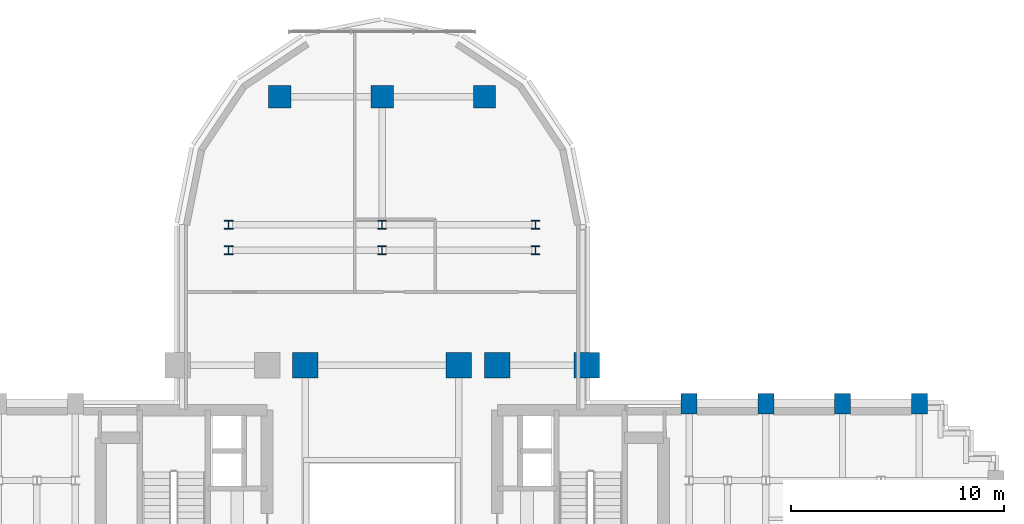
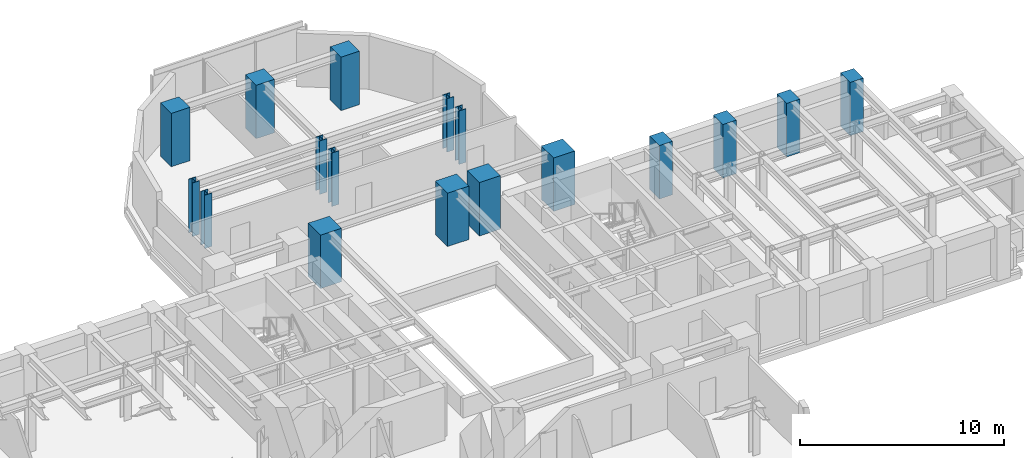
# One storey, part 2 of 16: 17 columns.
"""IFC4 building model written with IfcOpenShell, lengths in metres."""

import ifcopenshell
import ifcopenshell.guid

model = None  # the IFC model being written
_history = None  # IfcOwnerHistory: only IFC2X3 demands one
_inside = {}  # id of a spatial element -> (the spatial element, [elements in it])
_under = {}  # id of a project, library or spatial element -> (it, [spatial elements below it])
_declared = {}  # id of a project -> (the project, [libraries it declares])
_typed = {}  # id of a type object -> (the type object, [elements of that type])
_made_of = {}  # id of a material, layer set ... -> (it, [elements and type objects made of it])


def new_model(schema):
    """Start an empty IFC model of exactly this schema.

    Asked for "IFC4X3", IfcOpenShell would pick the latest addendum, in which some entities
    have other attributes; the version numbers below select the first issue.
    IFC2X3 requires an IfcOwnerHistory on every rooted entity: one is made here for all.
    """
    global model, _history
    if schema == "IFC4X3":
        model = ifcopenshell.file(schema_version=(4, 3, 0, 0))
    else:
        model = ifcopenshell.file(schema=schema)
    _inside.clear()
    _under.clear()
    _declared.clear()
    _typed.clear()
    _made_of.clear()
    _history = None
    if model.schema == "IFC2X3":
        org = make("IfcOrganization", Name="unknown")
        user = make(
            "IfcPersonAndOrganization",
            ThePerson=make("IfcPerson", FamilyName="unknown"),
            TheOrganization=org,
        )
        app = make(
            "IfcApplication",
            ApplicationDeveloper=org,
            Version="unknown",
            ApplicationFullName="unknown",
            ApplicationIdentifier="unknown",
        )
        _history = make(
            "IfcOwnerHistory",
            OwningUser=user,
            OwningApplication=app,
            ChangeAction="ADDED",
            CreationDate=0,
        )
    return model


def make(cls, **values):
    """One entity of the class cls with the attributes given. An attribute that is None is left unset."""
    return model.create_entity(
        cls, **{name: value for name, value in values.items() if value is not None}
    )


def rooted(cls, **values):
    """An entity with a GlobalId (a new one), such as an element, a storey or a relation."""
    return make(cls, GlobalId=ifcopenshell.guid.new(), OwnerHistory=_history, **values)


def si_unit(unit_type, name, prefix=None):
    """IfcSIUnit, for example si_unit("LENGTHUNIT", "METRE", prefix="MILLI")."""
    return make("IfcSIUnit", UnitType=unit_type, Prefix=prefix, Name=name)


def assignment(units):
    """IfcUnitAssignment: the units of a project."""
    return None if units is None else make("IfcUnitAssignment", Units=units)


def point(xyz):
    """IfcCartesianPoint."""
    return None if xyz is None else make("IfcCartesianPoint", Coordinates=xyz)


def direction(xyz):
    """IfcDirection."""
    return None if xyz is None else make("IfcDirection", DirectionRatios=xyz)


def frame(location, z_axis=None, x_axis=None):
    """IfcAxis2Placement3D, a coordinate frame: its origin and axes. An axis left out is left unset."""
    return make(
        "IfcAxis2Placement3D",
        Location=point(location),
        Axis=direction(z_axis),
        RefDirection=direction(x_axis),
    )


def frame_2d(location, x_axis=None):
    """IfcAxis2Placement2D, a coordinate frame in the plane: its origin and x axis."""
    return make(
        "IfcAxis2Placement2D", Location=point(location), RefDirection=direction(x_axis)
    )


def origin():
    """The frame at (0, 0, 0) with its axes left unset."""
    return frame((0.0, 0.0, 0.0))


def origin_2d():
    """The frame at (0, 0) in the plane with its x axis left unset."""
    return frame_2d((0.0, 0.0))


def place(relative_to, where):
    """IfcLocalPlacement: puts the frame where relative to a parent placement (None: the world)."""
    return make(
        "IfcLocalPlacement", PlacementRelTo=relative_to, RelativePlacement=where
    )


def context(
    kind, dimensions, precision=None, world=None, true_north=None, identifier=None
):
    """IfcGeometricRepresentationContext, for example the 3D "Model" context."""
    return make(
        "IfcGeometricRepresentationContext",
        ContextIdentifier=identifier,
        ContextType=kind,
        CoordinateSpaceDimension=dimensions,
        Precision=precision,
        WorldCoordinateSystem=world,
        TrueNorth=true_north,
    )


def subcontext(parent, identifier, kind, view, scale=None):
    """IfcGeometricRepresentationSubContext, for example "Body" below "Model"."""
    return make(
        "IfcGeometricRepresentationSubContext",
        ContextIdentifier=identifier,
        ContextType=kind,
        ParentContext=parent,
        TargetScale=scale,
        TargetView=view,
    )


def project(units=None, contexts=None):
    """IfcProject with its units and contexts."""
    return rooted(
        "IfcProject",
        Name="project",
        RepresentationContexts=contexts,
        UnitsInContext=assignment(units),
    )


def spatial(cls, under=None, at=None, **own):
    """A site, building, storey or space (cls), placed at a placement, below another one or the project."""
    s = rooted(cls, ObjectPlacement=at, **own)
    if under is not None:
        _under.setdefault(under.id(), (under, []))[1].append(s)
    return s


def profile(cls, at=None, kind="AREA", **sizes):
    """A parametric profile (cls). Its sizes go by their IFC names, for example OverallWidth=200.0."""
    return make(cls, ProfileType=kind, Position=at, **sizes)


def rectangle(**sizes):
    """IfcRectangleProfileDef."""
    return profile("IfcRectangleProfileDef", **sizes)


def i_section(**sizes):
    """IfcIShapeProfileDef."""
    return profile("IfcIShapeProfileDef", **sizes)


def extrude(swept, where, along, depth):
    """IfcExtrudedAreaSolid: the profile swept, set in the frame where, extruded along a direction by depth."""
    return make(
        "IfcExtrudedAreaSolid",
        SweptArea=swept,
        Position=where,
        ExtrudedDirection=direction(along),
        Depth=depth,
    )


def shape(context_of_items, identifier, shape_type, items):
    """IfcShapeRepresentation: the items that make up one representation, for example the "Body"."""
    return make(
        "IfcShapeRepresentation",
        ContextOfItems=context_of_items,
        RepresentationIdentifier=identifier,
        RepresentationType=shape_type,
        Items=items,
    )


def source(mapping_origin, context_of_items, identifier, shape_type, items):
    """IfcRepresentationMap: a shape defined once, which mapped items show again and again."""
    return make(
        "IfcRepresentationMap",
        MappingOrigin=mapping_origin,
        MappedRepresentation=shape(context_of_items, identifier, shape_type, items),
    )


def transform(
    local_origin,
    x_axis=None,
    y_axis=None,
    z_axis=None,
    scale=None,
    scale2=None,
    scale3=None,
    uniform=True,
):
    """IfcCartesianTransformationOperator3D, or its non-uniform kind. x_axis, y_axis, z_axis: its Axis1, 2, 3."""
    if uniform:
        return make(
            "IfcCartesianTransformationOperator3D",
            Axis1=direction(x_axis),
            Axis2=direction(y_axis),
            LocalOrigin=point(local_origin),
            Scale=scale,
            Axis3=direction(z_axis),
        )
    return make(
        "IfcCartesianTransformationOperator3DnonUniform",
        Axis1=direction(x_axis),
        Axis2=direction(y_axis),
        LocalOrigin=point(local_origin),
        Scale=scale,
        Axis3=direction(z_axis),
        Scale2=scale2,
        Scale3=scale3,
    )


def mapped(mapping_source, mapping_target):
    """IfcMappedItem: shows the shape of a source again, moved by a transform."""
    return make(
        "IfcMappedItem", MappingSource=mapping_source, MappingTarget=mapping_target
    )


def material(Name=None, Category=None):
    """IfcMaterial."""
    return make("IfcMaterial", Name=Name, Category=Category)


def material_profile(
    of_material, cross_section, Name=None, Category=None, Priority=None
):
    """IfcMaterialProfile: a cross section and its material."""
    return make(
        "IfcMaterialProfile",
        Name=Name,
        Material=of_material,
        Profile=cross_section,
        Priority=Priority,
        Category=Category,
    )


def profile_set(profiles, Name=None, composite=None):
    """IfcMaterialProfileSet."""
    return make(
        "IfcMaterialProfileSet",
        Name=Name,
        MaterialProfiles=profiles,
        CompositeProfile=composite,
    )


def made_of(thing, what):
    """Note that an element or type object is made of a material, layer set ...; save() writes the relation."""
    if what is not None:
        _made_of.setdefault(what.id(), (what, []))[1].append(thing)
    return thing


def type_object(cls, material=None, **own):
    """A type object (cls), such as IfcWallType, which elements share."""
    return made_of(rooted(cls, **own), material)


def element(
    cls,
    number,
    at=None,
    inside=None,
    cuts=None,
    type_object=None,
    material=None,
    context=None,
    identifier="Body",
    shape_type=None,
    held_by="IfcProductDefinitionShape",
    body=None,
    shapes=None,
    **own,
):
    """One element of the class cls, such as IfcWall. Its Tag is "e" and its number.

    at: its placement. inside: the storey or other place that contains it. cuts: it is an
    opening in that element (IfcRelVoidsElement). A single representation is given by context,
    identifier, shape_type and body (its items); several are given by shapes. held_by: the class
    of the entity that holds the representations. save() writes the other relations.
    """
    e = rooted(cls, Tag="e%d" % number, ObjectPlacement=at, **own)
    if body is not None:
        shapes = [shape(context, identifier, shape_type, body)]
    if shapes is not None:
        e.Representation = make(held_by, Representations=shapes)
    if inside is not None:
        _inside.setdefault(inside.id(), (inside, []))[1].append(e)
    if cuts is not None:
        rooted(
            "IfcRelVoidsElement", RelatingBuildingElement=cuts, RelatedOpeningElement=e
        )
    if type_object is not None:
        _typed.setdefault(type_object.id(), (type_object, []))[1].append(e)
    return made_of(e, material)


def aggregate(whole, parts):
    """IfcRelAggregates: a whole, such as a stair, and the parts it consists of."""
    return rooted("IfcRelAggregates", RelatingObject=whole, RelatedObjects=parts)


def save(model, path):
    """Write the relations noted so far, then the file.

    IfcRelAggregates (storeys below a building ...), IfcRelContainedInSpatialStructure (elements
    in a storey), IfcRelDefinesByType, IfcRelAssociatesMaterial and IfcRelDeclares: one each for
    every whole, place, type object, material and project.
    """
    for whole, parts in _under.values():
        aggregate(whole, parts)
    for where, things in _inside.values():
        rooted(
            "IfcRelContainedInSpatialStructure",
            RelatedElements=things,
            RelatingStructure=where,
        )
    for kind, things in _typed.values():
        rooted("IfcRelDefinesByType", RelatedObjects=things, RelatingType=kind)
    for what, things in _made_of.values():
        rooted("IfcRelAssociatesMaterial", RelatedObjects=things, RelatingMaterial=what)
    for by, libraries in _declared.values():
        rooted("IfcRelDeclares", RelatingContext=by, RelatedDefinitions=libraries)
    model.write(path)


model = new_model("IFC4")

# Units and contexts
model_context = context("Model", 3, precision=1e-05, world=origin(), true_north=direction((0.0, 1.0)))
body_context = subcontext(model_context, "Body", "Model", "MODEL_VIEW")
ifc_project = project(units=[si_unit("LENGTHUNIT", "METRE"), si_unit("AREAUNIT", "SQUARE_METRE"), si_unit("VOLUMEUNIT", "CUBIC_METRE"), si_unit("PLANEANGLEUNIT", "RADIAN"), si_unit("MASSUNIT", "GRAM", prefix="KILO")], contexts=[model_context])

# Site, building, storey
site_placement = place(None, origin())
site = spatial("IfcSite", under=ifc_project, at=site_placement, CompositionType="ELEMENT")
building_placement = place(site_placement, origin())
building = spatial("IfcBuilding", under=site, at=building_placement, Name="Keilestroom Media Tower", CompositionType="ELEMENT")
storey_placement = place(building_placement, frame((0.0, 0.0, 74.800048828125)))
storey = spatial("IfcBuildingStorey", under=building, at=storey_placement, Name="L19", CompositionType="ELEMENT", Elevation=74.800048828125)

# Columns
ifc_material_1 = material(Name="Precast concrete C40/50", Category="concrete")
ifc_material_profile_1 = material_profile(ifc_material_1, rectangle(XDim=0.75, YDim=0.949951171875, at=origin_2d()), Name="PC 950x750")
ifc_profile_set_1 = profile_set([ifc_material_profile_1], Name="Precast concrete C40/50")
column_type_1 = type_object("IfcColumnType", Name="Structural-Column-PC-950x750", PredefinedType="COLUMN", material=ifc_profile_set_1)
shared_shape_1 = source(origin(), body_context, "Body", "SweptSolid", [
    extrude(rectangle(XDim=0.75, YDim=0.949951171875, at=origin_2d()), origin(), (0.0, 0.0, 1.0), 3.199951171875),
])
for number, where, z_axis, x_axis, name in (
    (1, (14.39990234375, 7.199951171875, 0.0), (0.0, 0.0, 1.0), (1.0, 0.0, 0.0), "L19 Column PC-1 (+14.4,+7.2)"),
    (2, (18.0, 7.199951171875, 0.0), (0.0, 0.0, 1.0), (1.0, 0.0, 0.0), "L19 Column PC-1 (+18.0,+7.2)"),
    (3, (21.60009765625, 7.199951171875, 0.0), (0.0, 0.0, 1.0), (1.0, 0.0, 0.0), "L19 Column PC-1 (+21.6,+7.2)"),
    (4, (25.199951171875, 7.199951171875, 0.0), (0.0, 0.0, 1.0), (1.0, 0.0, 0.0), "L19 Column PC-1 (+25.2,+7.2)"),
):
    element("IfcColumn", number, at=place(storey_placement, frame(where, z_axis=z_axis, x_axis=x_axis)), inside=storey, type_object=column_type_1, Name=name, PredefinedType="COLUMN", context=body_context, shape_type="MappedRepresentation", body=[
        mapped(shared_shape_1, transform((0.0, 0.0, 0.0), x_axis=(1.0, 0.0, 0.0), y_axis=(0.0, 1.0, 0.0), z_axis=(0.0, 0.0, 1.0), scale=1.0)),
    ])
ifc_material_2 = material(Name="Steel S460", Category="steel")
ifc_material_profile_2 = material_profile(ifc_material_2, i_section(OverallWidth=0.404052734375, OverallDepth=0.406982421875, WebThickness=0.02197265625, FlangeThickness=0.035400390625, at=origin_2d()), Name="HD 400x347")
ifc_profile_set_2 = profile_set([ifc_material_profile_2], Name="Steel S460")
column_type_2 = type_object("IfcColumnType", Name="Structural-Column-HD-400x347", PredefinedType="COLUMN", material=ifc_profile_set_2)
shared_shape_2 = source(origin(), body_context, "Body", "SweptSolid", [
    extrude(i_section(OverallWidth=0.404052734375, OverallDepth=0.406982421875, WebThickness=0.02197265625, FlangeThickness=0.035400390625, at=origin_2d()), origin(), (0.0, 0.0, 1.0), 3.199951171875),
])
for number, where, z_axis, x_axis, name in (
    (5, (-7.199951171875, 14.39990234375, 0.0), (0.0, 0.0, 1.0), (1.0, 0.0, 0.0), "L19 Column SC-2 (-7.2,+14.4)"),
    (6, (-7.199951171875, 15.60009765625, 0.0), (0.0, 0.0, 1.0), (1.0, 0.0, 0.0), "L19 Column SC-2 (-7.2,+15.6)"),
    (7, (0.0, 14.39990234375, 0.0), (0.0, 0.0, 1.0), (1.0, 0.0, 0.0), "L19 Column SC-2 (+0.0,+14.4)"),
    (8, (0.0, 15.60009765625, 0.0), (0.0, 0.0, 1.0), (1.0, 0.0, 0.0), "L19 Column SC-2 (+0.0,+15.6)"),
    (9, (7.199951171875, 14.39990234375, 0.0), (0.0, 0.0, 1.0), (1.0, 0.0, 0.0), "L19 Column SC-2 (+7.2,+14.4)"),
    (10, (7.199951171875, 15.60009765625, 0.0), (0.0, 0.0, 1.0), (1.0, 0.0, 0.0), "L19 Column SC-2 (+7.2,+15.6)"),
):
    element("IfcColumn", number, at=place(storey_placement, frame(where, z_axis=z_axis, x_axis=x_axis)), inside=storey, type_object=column_type_2, Name=name, PredefinedType="COLUMN", context=body_context, shape_type="MappedRepresentation", body=[
        mapped(shared_shape_2, transform((0.0, 0.0, 0.0), x_axis=(1.0, 0.0, 0.0), y_axis=(0.0, 1.0, 0.0), z_axis=(0.0, 0.0, 1.0), scale=1.0)),
    ])
ifc_material_3 = material(Name="Concrete C70/85", Category="concrete")
ifc_material_profile_3 = material_profile(ifc_material_3, rectangle(XDim=1.199951171875, YDim=1.199951171875, at=origin_2d()), Name="RC 1200x1200")
ifc_profile_set_3 = profile_set([ifc_material_profile_3], Name="Concrete C70/85")
column_type_3 = type_object("IfcColumnType", Name="Structural-Column-RC-1200x1200", PredefinedType="COLUMN", material=ifc_profile_set_3)
shared_shape_3 = source(origin(), body_context, "Body", "SweptSolid", [
    extrude(rectangle(XDim=1.199951171875, YDim=1.199951171875, at=origin_2d()), origin(), (0.0, 0.0, 1.0), 3.199951171875),
])
for number, where, z_axis, x_axis, name in (
    (11, (-3.60009765625, 9.0, 0.0), (0.0, 0.0, 1.0), (1.0, 0.0, 0.0), "L19 Column MC-2 (-3.6,+9.0)"),
    (12, (3.60009765625, 9.0, 0.0), (0.0, 0.0, 1.0), (1.0, 0.0, 0.0), "L19 Column MC-2 (+3.6,+9.0)"),
    (13, (5.39990234375, 9.0, 0.0), (0.0, 0.0, 1.0), (1.0, 0.0, 0.0), "L19 Column MC-2 (+5.4,+9.0)"),
    (14, (9.60009765625, 9.0, 0.0), (0.0, 0.0, 1.0), (1.0, 0.0, 0.0), "L19 Column MC-2 (+9.6,+9.0)"),
):
    element("IfcColumn", number, at=place(storey_placement, frame(where, z_axis=z_axis, x_axis=x_axis)), inside=storey, type_object=column_type_3, Name=name, PredefinedType="COLUMN", context=body_context, shape_type="MappedRepresentation", body=[
        mapped(shared_shape_3, transform((0.0, 0.0, 0.0), x_axis=(1.0, 0.0, 0.0), y_axis=(0.0, 1.0, 0.0), z_axis=(0.0, 0.0, 1.0), scale=1.0)),
    ])
ifc_material_4 = material(Name="Concrete C55/67", Category="concrete")
ifc_material_profile_4 = material_profile(ifc_material_4, rectangle(XDim=1.050048828125, YDim=1.050048828125, at=origin_2d()), Name="RC 1050x1050")
ifc_profile_set_4 = profile_set([ifc_material_profile_4], Name="Concrete C55/67")
column_type_4 = type_object("IfcColumnType", Name="Structural-Column-RC-1050x1050", PredefinedType="COLUMN", material=ifc_profile_set_4)
shared_shape_4 = source(origin(), body_context, "Body", "SweptSolid", [
    extrude(rectangle(XDim=1.050048828125, YDim=1.050048828125, at=origin_2d()), origin(), (0.0, 0.0, 1.0), 3.199951171875),
])
for number, where, z_axis, x_axis, name in (
    (15, (-4.800048828125, 21.60009765625, 0.0), (0.0, 0.0, 1.0), (1.0, 0.0, 0.0), "L19 Column MC-3 (-4.8,+21.6)"),
    (16, (0.0, 21.60009765625, 0.0), (0.0, 0.0, 1.0), (1.0, 0.0, 0.0), "L19 Column MC-3 (+0.0,+21.6)"),
    (17, (4.800048828125, 21.60009765625, 0.0), (0.0, 0.0, 1.0), (1.0, 0.0, 0.0), "L19 Column MC-3 (+4.8,+21.6)"),
):
    element("IfcColumn", number, at=place(storey_placement, frame(where, z_axis=z_axis, x_axis=x_axis)), inside=storey, type_object=column_type_4, Name=name, PredefinedType="COLUMN", context=body_context, shape_type="MappedRepresentation", body=[
        mapped(shared_shape_4, transform((0.0, 0.0, 0.0), x_axis=(1.0, 0.0, 0.0), y_axis=(0.0, 1.0, 0.0), z_axis=(0.0, 0.0, 1.0), scale=1.0)),
    ])

save(model, "model.ifc")
